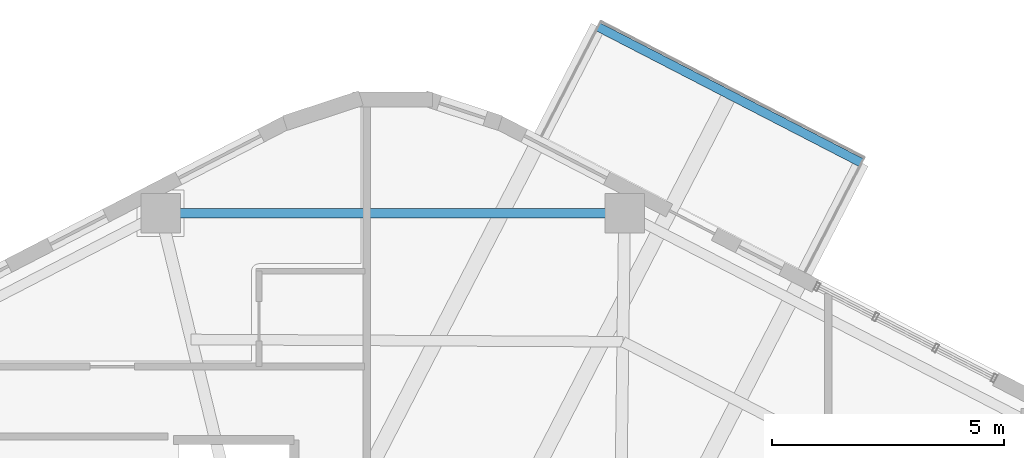
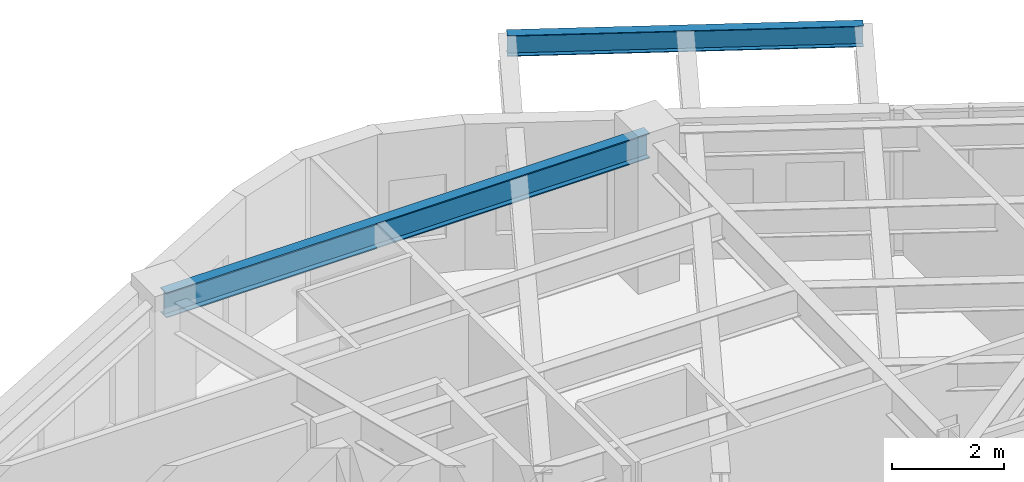
# One storey, part 4 of 12: 2 beams.
"""IFC4 building model written with IfcOpenShell, lengths in metres."""

from ifc_helpers import new_model, si_unit, direction, frame, origin, origin_2d, place, context, subcontext, project, spatial, i_section, extrude, material, material_profile, profile_set, type_object, element, save


model = new_model("IFC4")

# Units and contexts
model_context = context("Model", 3, precision=1e-05, world=origin(), true_north=direction((0.0, 1.0)))
body_context = subcontext(model_context, "Body", "Model", "MODEL_VIEW")
ifc_project = project(units=[si_unit("LENGTHUNIT", "METRE"), si_unit("AREAUNIT", "SQUARE_METRE"), si_unit("VOLUMEUNIT", "CUBIC_METRE"), si_unit("PLANEANGLEUNIT", "RADIAN"), si_unit("MASSUNIT", "GRAM", prefix="KILO"), si_unit("THERMODYNAMICTEMPERATUREUNIT", "KELVIN"), si_unit("POWERUNIT", "WATT")], contexts=[model_context])

# Site, building, storey
site_placement = place(None, origin())
site = spatial("IfcSite", under=ifc_project, at=site_placement, CompositionType="ELEMENT")
building_placement = place(site_placement, origin())
building = spatial("IfcBuilding", under=site, at=building_placement, Name="Skarre Station Tower", CompositionType="ELEMENT")
storey_placement = place(building_placement, frame((0.0, 0.0, 163.64990234375)))
storey = spatial("IfcBuildingStorey", under=building, at=storey_placement, Name="L44", CompositionType="ELEMENT", Elevation=163.64990234375)

# Beams
ifc_material = material(Name="Steel ASTM A992 Grade 50", Category="steel")
ifc_material_profile_1 = material_profile(ifc_material, i_section(OverallWidth=0.19091796875, OverallDepth=0.45703125, WebThickness=0.009033203125, FlangeThickness=0.013916015625, at=origin_2d()), Name="Steel ASTM A992 Grade 50")
ifc_profile_set_1 = profile_set([ifc_material_profile_1], Name="Steel ASTM A992 Grade 50")
beam_type_1 = type_object("IfcBeamType", Name="Steel Joist W18X50", PredefinedType="JOIST", material=ifc_profile_set_1)
beam_1_placement = place(storey_placement, frame((39.02587890625, 44.909912109375, 2.857177734375), z_axis=(0.888611119601, -0.458661398116, 0.0), x_axis=(0.458661398116, 0.888611119601, 0.0)))
element("IfcBeam", 1, at=beam_1_placement, inside=storey, type_object=beam_type_1, Name="L44 SG-2-L45 Rim Beam", PredefinedType="JOIST", context=body_context, shape_type="SweptSolid", body=[
    extrude(i_section(OverallWidth=0.19091796875, OverallDepth=0.45703125, WebThickness=0.009033203125, FlangeThickness=0.013916015625, at=origin_2d()), origin(), (0.0, 0.0, 1.0), 6.394287109375),
])
ifc_material_profile_2 = material_profile(ifc_material, i_section(OverallWidth=0.214111328125, OverallDepth=0.549072265625, WebThickness=0.014892578125, FlangeThickness=0.02392578125, at=origin_2d()), Name="Steel ASTM A992 Grade 50")
ifc_profile_set_2 = profile_set([ifc_material_profile_2], Name="Steel ASTM A992 Grade 50")
beam_type_2 = type_object("IfcBeamType", Name="Steel Spandrel W21X93", PredefinedType="SPANDREL", material=ifc_profile_set_2)
beam_2_placement = place(storey_placement, frame((39.60205078125, 40.887939453125, 2.916015625), z_axis=(-1.0, 0.0, 0.0), x_axis=(0.0, -1.0, 0.0)))
element("IfcBeam", 2, at=beam_2_placement, inside=storey, type_object=beam_type_2, Name="L44 Facet Spandrel Beam 2", PredefinedType="SPANDREL", context=body_context, shape_type="SweptSolid", body=[
    extrude(i_section(OverallWidth=0.214111328125, OverallDepth=0.549072265625, WebThickness=0.014892578125, FlangeThickness=0.02392578125, at=origin_2d()), origin(), (0.0, 0.0, 1.0), 10.004150390625),
])

save(model, "model.ifc")
